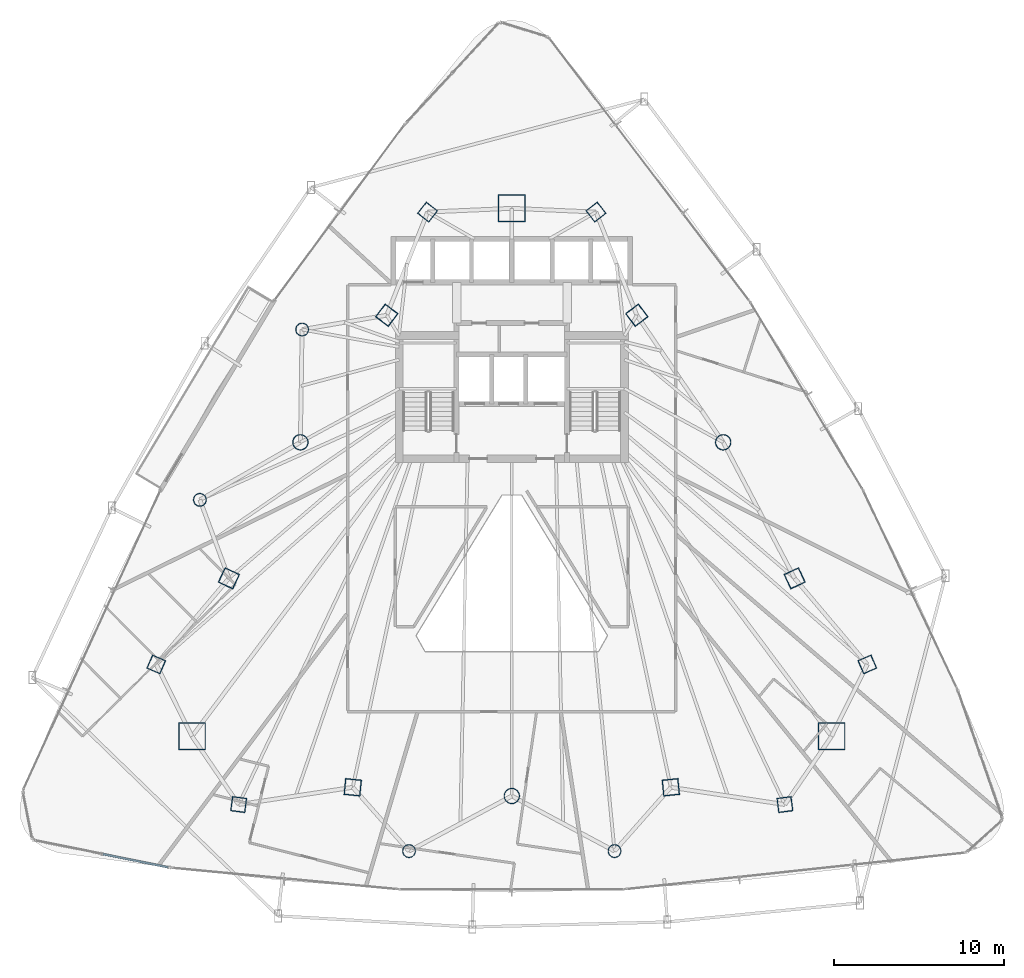
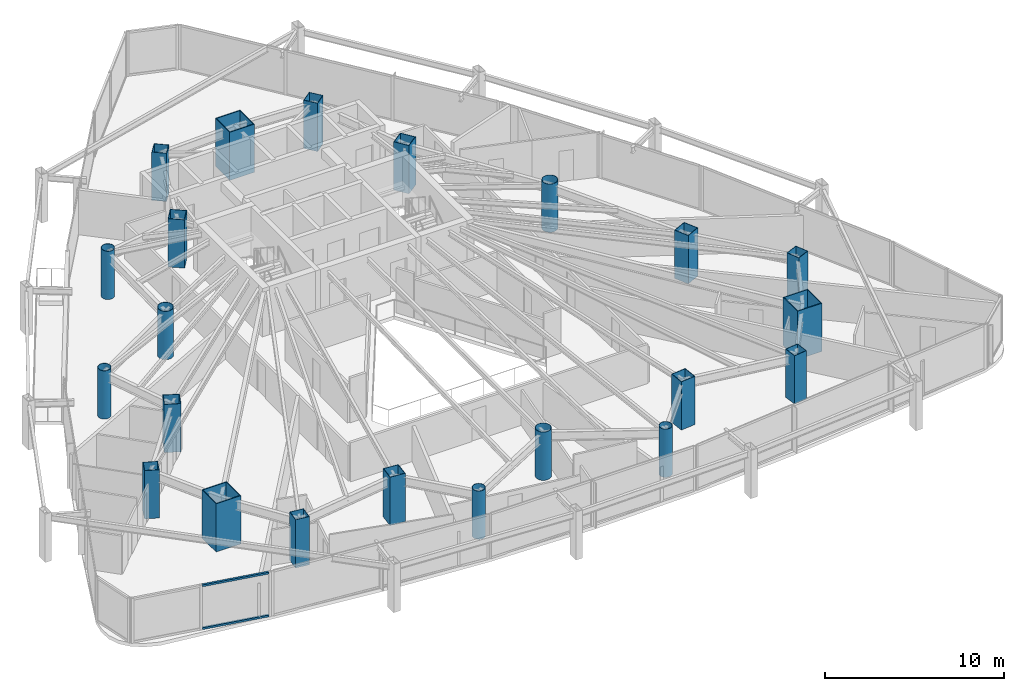
# One storey, part 1 of 35: 22 columns, 2 members, 1 element without a shape of its own.
"""IFC4 building model written with IfcOpenShell, lengths in metres."""

from ifc_helpers import new_model, si_unit, direction, frame, origin, origin_2d, place, context, subcontext, project, spatial, hollow_rectangle, hollow_circle, extrude, material, layer, layer_set, material_profile, profile_set, type_object, element, aggregate, save


model = new_model("IFC4")

# Units and contexts
model_context = context("Model", 3, precision=1e-05, world=origin(), true_north=direction((0.0, 1.0)))
body_context = subcontext(model_context, "Body", "Model", "MODEL_VIEW")
ifc_project = project(units=[si_unit("LENGTHUNIT", "METRE"), si_unit("AREAUNIT", "SQUARE_METRE"), si_unit("VOLUMEUNIT", "CUBIC_METRE"), si_unit("PLANEANGLEUNIT", "RADIAN"), si_unit("MASSUNIT", "GRAM", prefix="KILO")], contexts=[model_context])

# Site, building, storey
site_placement = place(None, origin())
site = spatial("IfcSite", under=ifc_project, at=site_placement, CompositionType="ELEMENT")
building_placement = place(site_placement, origin())
building = spatial("IfcBuilding", under=site, at=building_placement, Name="Orvanel Arch Residences", CompositionType="ELEMENT")
storey_placement = place(building_placement, frame((0.0, 0.0, 33.5)))
storey = spatial("IfcBuildingStorey", under=building, at=storey_placement, Name="L08", CompositionType="ELEMENT", Elevation=33.5)

# Columns
ifc_material_1 = material(Name="Structural steel AS/NZS 1163 C450L0 (Grade 450)", Category="steel")
ifc_material_profile_1 = material_profile(ifc_material_1, hollow_circle(Radius=0.381103515625, WallThickness=0.02197265625, at=origin_2d()), Name="CHS762x22")
ifc_profile_set_1 = profile_set([ifc_material_profile_1], Name="Structural steel AS/NZS 1163 C450L0 (Grade 450)")
column_type_1 = type_object("IfcColumnType", Name="CC-762", PredefinedType="COLUMN", material=ifc_profile_set_1)
for number, where, z_axis, x_axis, name in (
    (1, (20.669921875, 34.27099609375, 0.0), (0.0, 0.0, 1.0), (1.0, 0.0, 0.0), "L08 Low-Rise Buttress Tube Column 01"),
    (2, (14.662109375, 24.256103515625, 0.0), (0.0, 0.0, 1.0), (1.0, 0.0, 0.0), "L08 Low-Rise Buttress Tube Column 02"),
    (3, (26.9580078125, 3.60498046875, 0.0), (0.0, 0.0, 1.0), (1.0, 0.0, 0.0), "L08 Low-Rise Buttress Tube Column 03"),
    (4, (39.0419921875, 3.60498046875, 0.0), (0.0, 0.0, 1.0), (1.0, 0.0, 0.0), "L08 Low-Rise Buttress Tube Column 04"),
):
    element("IfcColumn", number, at=place(storey_placement, frame(where, z_axis=z_axis, x_axis=x_axis)), inside=storey, type_object=column_type_1, Name=name, PredefinedType="COLUMN", context=body_context, shape_type="SweptSolid", body=[
        extrude(hollow_circle(Radius=0.381103515625, WallThickness=0.02197265625, at=origin_2d()), origin(), (0.0, 0.0, 1.0), 3.300048828125),
    ])
ifc_material_profile_2 = material_profile(ifc_material_1, hollow_circle(Radius=0.45703125, WallThickness=0.02490234375, at=origin_2d()), Name="CHS914x25")
ifc_profile_set_2 = profile_set([ifc_material_profile_2], Name="Structural steel AS/NZS 1163 C450L0 (Grade 450)")
column_type_2 = type_object("IfcColumnType", Name="CC-914", PredefinedType="COLUMN", material=ifc_profile_set_2)
for number, where, z_axis, x_axis, name in (
    (5, (20.569091796875, 27.64111328125, 0.0), (0.0, 0.0, 1.0), (1.0, 0.0, 0.0), "L08 High-Rise Tube Column 02"),
    (6, (33.0, 6.843994140625, 0.0), (0.0, 0.0, 1.0), (1.0, 0.0, 0.0), "L08 High-Rise Tube Column 05"),
    (7, (45.430908203125, 27.64111328125, 0.0), (0.0, 0.0, 1.0), (1.0, 0.0, 0.0), "L08 High-Rise Tube Column 08"),
):
    element("IfcColumn", number, at=place(storey_placement, frame(where, z_axis=z_axis, x_axis=x_axis)), inside=storey, type_object=column_type_2, Name=name, PredefinedType="COLUMN", context=body_context, shape_type="SweptSolid", body=[
        extrude(hollow_circle(Radius=0.45703125, WallThickness=0.02490234375, at=origin_2d()), origin(), (0.0, 0.0, 1.0), 3.300048828125),
    ])
ifc_material_2 = material(Name="Structural steel AS/NZS 3678 Grade 450", Category="steel")
ifc_material_profile_3 = material_profile(ifc_material_2, hollow_rectangle(XDim=1.60009765625, YDim=1.60009765625, WallThickness=0.050048828125, at=origin_2d()), Name="BOX1600x1600x50")
ifc_profile_set_3 = profile_set([ifc_material_profile_3], Name="Structural steel AS/NZS 3678 Grade 450")
column_type_3 = type_object("IfcColumnType", Name="MC-1600", PredefinedType="COLUMN", material=ifc_profile_set_3)
for number, where, z_axis, x_axis, name in (
    (8, (33.0, 41.39794921875, 0.0), (0.0, 0.0, 1.0), (1.0, 0.0, 0.0), "L08 Corner Mega-Column 1"),
    (9, (14.198974609375, 10.35107421875, 0.0), (0.0, 0.0, 1.0), (1.0, 0.0, 0.0), "L08 Corner Mega-Column 2"),
    (10, (51.801025390625, 10.35107421875, 0.0), (0.0, 0.0, 1.0), (1.0, 0.0, 0.0), "L08 Corner Mega-Column 3"),
):
    element("IfcColumn", number, at=place(storey_placement, frame(where, z_axis=z_axis, x_axis=x_axis)), inside=storey, type_object=column_type_3, Name=name, PredefinedType="COLUMN", context=body_context, shape_type="SweptSolid", body=[
        extrude(hollow_rectangle(XDim=1.60009765625, YDim=1.60009765625, WallThickness=0.050048828125, at=origin_2d()), origin(), (0.0, 0.0, 1.0), 3.300048828125),
    ])
ifc_material_3 = material(Name="Structural steel AS/NZS 3678 Grade 350", Category="steel")
ifc_material_profile_4 = material_profile(ifc_material_3, hollow_rectangle(XDim=0.85009765625, YDim=0.85009765625, WallThickness=0.028076171875, at=origin_2d()), Name="BOX850x850x28")
ifc_profile_set_4 = profile_set([ifc_material_profile_4], Name="Structural steel AS/NZS 3678 Grade 350")
column_type_4 = type_object("IfcColumnType", Name="TC-850", PredefinedType="COLUMN", material=ifc_profile_set_4)
for number, where, z_axis, x_axis, name in (
    (11, (28.050048828125, 41.177978515625, 0.0), (0.0, 0.0, 1.0), (0.623879596709, 0.781520472419, 0.0), "L08 Mid-Rise Buttress Tube Column 01"),
    (12, (12.094970703125, 14.580078125, 0.0), (0.0, 0.0, 1.0), (0.397147890635, 0.917754625684, 0.0), "L08 Mid-Rise Buttress Tube Column 02"),
    (13, (16.94091796875, 6.339111328125, 0.0), (0.0, 0.0, 1.0), (-0.99189444259, 0.127064608601, 0.0), "L08 Mid-Rise Buttress Tube Column 03"),
    (14, (49.05908203125, 6.339111328125, 0.0), (0.0, 0.0, 1.0), (0.99189444259, 0.127064608601, 0.0), "L08 Mid-Rise Buttress Tube Column 04"),
    (15, (53.905029296875, 14.580078125, 0.0), (0.0, 0.0, 1.0), (-0.397147890635, 0.917754625684, 0.0), "L08 Mid-Rise Buttress Tube Column 05"),
    (16, (37.949951171875, 41.177978515625, 0.0), (0.0, 0.0, 1.0), (-0.623879596709, 0.781520472419, 0.0), "L08 Mid-Rise Buttress Tube Column 06"),
):
    element("IfcColumn", number, at=place(storey_placement, frame(where, z_axis=z_axis, x_axis=x_axis)), inside=storey, type_object=column_type_4, Name=name, PredefinedType="COLUMN", context=body_context, shape_type="SweptSolid", body=[
        extrude(hollow_rectangle(XDim=0.85009765625, YDim=0.85009765625, WallThickness=0.028076171875, at=origin_2d()), origin(), (0.0, 0.0, 1.0), 3.300048828125),
    ])
ifc_material_profile_5 = material_profile(ifc_material_3, hollow_rectangle(XDim=0.949951171875, YDim=0.949951171875, WallThickness=0.031982421875, at=origin_2d()), Name="BOX950x950x32")
ifc_profile_set_5 = profile_set([ifc_material_profile_5], Name="Structural steel AS/NZS 3678 Grade 350")
column_type_5 = type_object("IfcColumnType", Name="TC-950", PredefinedType="COLUMN", material=ifc_profile_set_5)
for number, where, z_axis, x_axis, name in (
    (17, (25.64794921875, 35.113037109375, 0.0), (0.0, 0.0, 1.0), (0.600420225326, 0.799684658487, 0.0), "L08 High-Rise Tube Column 01"),
    (18, (16.366943359375, 19.64208984375, 0.0), (0.0, 0.0, 1.0), (0.422618261741, 0.906307787037, 0.0), "L08 High-Rise Tube Column 03"),
    (19, (23.64892578125, 7.35498046875, 0.0), (0.0, 0.0, 1.0), (-0.994880708829, 0.101056297183, 0.0), "L08 High-Rise Tube Column 04"),
    (20, (42.35107421875, 7.35498046875, 0.0), (0.0, 0.0, 1.0), (0.994880708829, 0.101056297183, 0.0), "L08 High-Rise Tube Column 06"),
    (21, (49.633056640625, 19.64208984375, 0.0), (0.0, 0.0, 1.0), (-0.422618261741, 0.906307787037, 0.0), "L08 High-Rise Tube Column 07"),
    (22, (40.35205078125, 35.113037109375, 0.0), (0.0, 0.0, 1.0), (-0.600420225326, 0.799684658487, 0.0), "L08 High-Rise Tube Column 09"),
):
    element("IfcColumn", number, at=place(storey_placement, frame(where, z_axis=z_axis, x_axis=x_axis)), inside=storey, type_object=column_type_5, Name=name, PredefinedType="COLUMN", context=body_context, shape_type="SweptSolid", body=[
        extrude(hollow_rectangle(XDim=0.949951171875, YDim=0.949951171875, WallThickness=0.031982421875, at=origin_2d()), origin(), (0.0, 0.0, 1.0), 3.300048828125),
    ])

# Curtain wall, members
ifc_material_4 = material(Name="Bronze-anodised aluminium AA6063-T6", Category="aluminium")
ifc_layer = layer(ifc_material_4, 0.18994140625)
ifc_layer_set = layer_set([ifc_layer], Name="Bronze-anodised aluminium AA6063-T6")
curtain_wall_type = type_object("IfcCurtainWallType", Name="CW5-CRN-SYS", PredefinedType="NOTDEFINED", material=ifc_layer_set)
curtain_wall_placement = place(storey_placement, origin())
curtain_wall = element("IfcCurtainWall", 23, at=curtain_wall_placement, inside=storey, type_object=curtain_wall_type, Name="L08 CW5-CRN-SYS Unitised Curtain Wall", PredefinedType="NOTDEFINED")
ifc_material_profile_6 = material_profile(ifc_material_4, hollow_rectangle(XDim=0.1298828125, YDim=0.1298828125, WallThickness=0.00439453125, at=origin_2d()), Name="ALU130x130x4.5")
ifc_profile_set_6 = profile_set([ifc_material_profile_6], Name="Bronze-anodised aluminium AA6063-T6")
member_type = type_object("IfcMemberType", Name="TRN-130x130", PredefinedType="USERDEFINED", material=ifc_profile_set_6)
member_1_placement = place(storey_placement, frame((8.9619140625, 3.427734375, 0.06494140625), z_axis=(0.980161209383, -0.198201926381, 0.0), x_axis=(0.198201926381, 0.980161209383, 0.0)))
member_1 = element("IfcMember", 24, at=member_1_placement, type_object=member_type, Name="CW-S5 transom 2.1", ObjectType="TRANSOM", PredefinedType="USERDEFINED", context=body_context, shape_type="SweptSolid", body=[
    extrude(hollow_rectangle(XDim=0.1298828125, YDim=0.1298828125, WallThickness=0.00439453125, at=origin_2d()), origin(), (0.0, 0.0, 1.0), 3.915771484375),
])
member_2_placement = place(storey_placement, frame((8.9619140625, 3.427734375, 2.9951171875), z_axis=(0.980161209383, -0.198201926381, 0.0), x_axis=(0.198201926381, 0.980161209383, 0.0)))
member_2 = element("IfcMember", 25, at=member_2_placement, type_object=member_type, Name="CW-S5 transom 2.2", ObjectType="TRANSOM", PredefinedType="USERDEFINED", context=body_context, shape_type="SweptSolid", body=[
    extrude(hollow_rectangle(XDim=0.1298828125, YDim=0.1298828125, WallThickness=0.00439453125, at=origin_2d()), origin(), (0.0, 0.0, 1.0), 3.915771484375),
])
aggregate(curtain_wall, [member_1, member_2])

save(model, "model.ifc")
